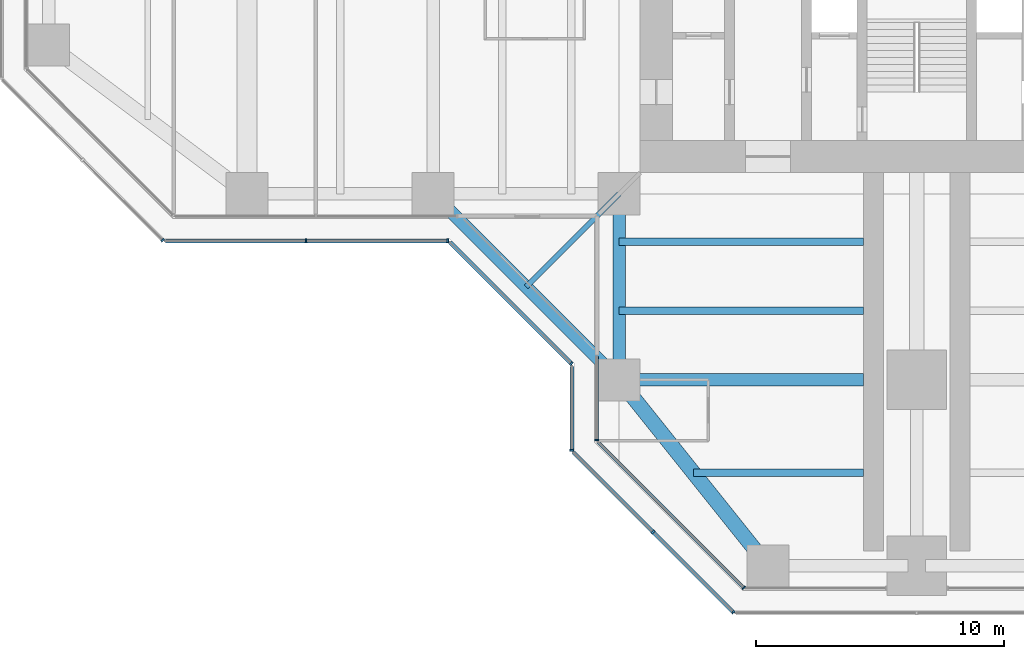
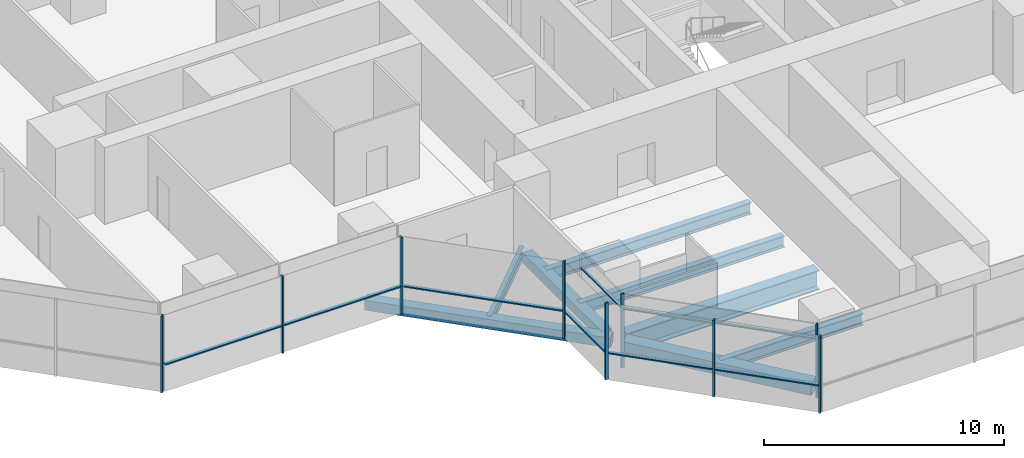
# One storey, part 2 of 20: 17 members, 8 beams, 7 elements without a shape of their own.
"""IFC4 building model written with IfcOpenShell, lengths in metres."""

from ifc_helpers import new_model, si_unit, direction, frame, origin, origin_2d, place, context, subcontext, project, spatial, rectangle, hollow_rectangle, i_section, extrude, material, material_profile, profile_set, type_object, element, aggregate, save


model = new_model("IFC4")

# Units and contexts
model_context = context("Model", 3, precision=1e-05, world=origin(), true_north=direction((0.0, 1.0)))
body_context = subcontext(model_context, "Body", "Model", "MODEL_VIEW")
ifc_project = project(units=[si_unit("LENGTHUNIT", "METRE"), si_unit("AREAUNIT", "SQUARE_METRE"), si_unit("VOLUMEUNIT", "CUBIC_METRE"), si_unit("PLANEANGLEUNIT", "RADIAN"), si_unit("MASSUNIT", "GRAM", prefix="KILO")], contexts=[model_context])

# Site, building, storey
site_placement = place(None, origin())
site = spatial("IfcSite", under=ifc_project, at=site_placement, CompositionType="ELEMENT")
building_placement = place(site_placement, origin())
building = spatial("IfcBuilding", under=site, at=building_placement, Name="Mizan Broadcast Tower", CompositionType="ELEMENT")
storey_placement = place(building_placement, frame((0.0, 0.0, 155.39990234375)))
storey = spatial("IfcBuildingStorey", under=building, at=storey_placement, Name="L35", CompositionType="ELEMENT", Elevation=155.39990234375)

# Beams
ifc_material_1 = material(Name="Steel S355", Category="steel")
ifc_material_profile_1 = material_profile(ifc_material_1, hollow_rectangle(XDim=0.5, YDim=0.5, WallThickness=0.030029296875, at=origin_2d()), Name="BOX 500x500x30")
ifc_profile_set_1 = profile_set([ifc_material_profile_1], Name="Steel S355")
beam_type_1 = type_object("IfcBeamType", Name="EDGE BEAM BOX 500x500x30", PredefinedType="SPANDREL", material=ifc_profile_set_1)
beam_1_placement = place(storey_placement, frame((-12.0, -12.449951171875, -0.3798828125), z_axis=(0.0, -1.0, 0.0), x_axis=(1.0, 0.0, 0.0)))
element("IfcBeam", 1, at=beam_1_placement, inside=storey, type_object=beam_type_1, Name="Edge beam BOX 500x500x30 L35 south arm", PredefinedType="SPANDREL", context=body_context, shape_type="SweptSolid", body=[
    extrude(hollow_rectangle(XDim=0.5, YDim=0.5, WallThickness=0.030029296875, at=origin_2d()), origin(), (0.0, 0.0, 1.0), 6.60009765625),
])
beam_2_placement = place(storey_placement, frame((-19.5, -12.0, -0.3798828125), z_axis=(0.707106781187, -0.707106781187, 0.0), x_axis=(0.707106781187, 0.707106781187, 0.0)))
element("IfcBeam", 2, at=beam_2_placement, inside=storey, type_object=beam_type_1, Name="Winter garden edge beam L35 W", PredefinedType="SPANDREL", context=body_context, shape_type="SweptSolid", body=[
    extrude(hollow_rectangle(XDim=0.5, YDim=0.5, WallThickness=0.030029296875, at=origin_2d()), origin(), (0.0, 0.0, 1.0), 10.606689453125),
])
ifc_material_2 = material(Name="Steel S355", Category="steel")
ifc_material_profile_2 = material_profile(ifc_material_2, hollow_rectangle(XDim=0.60009765625, YDim=0.60009765625, WallThickness=0.030029296875, at=origin_2d()), Name="BOX 600x600x30")
ifc_profile_set_2 = profile_set([ifc_material_profile_2], Name="Steel S355")
beam_type_2 = type_object("IfcBeamType", Name="EDGE BEAM BOX 600x600x30", PredefinedType="SPANDREL", material=ifc_profile_set_2)
beam_3_placement = place(storey_placement, frame((-11.639892578125, -19.949951171875, -0.429931640625), z_axis=(0.624673911726, -0.780885717636, 0.0), x_axis=(0.780885717636, 0.624673911726, 0.0)))
element("IfcBeam", 3, at=beam_3_placement, inside=storey, type_object=beam_type_2, Name="Edge beam BOX 600x600x30 L35 south arm", PredefinedType="SPANDREL", context=body_context, shape_type="SweptSolid", body=[
    extrude(hollow_rectangle(XDim=0.60009765625, YDim=0.60009765625, WallThickness=0.030029296875, at=origin_2d()), origin(), (0.0, 0.0, 1.0), 8.4521484375),
])
ifc_material_3 = material(Name="Steel S460", Category="steel")
ifc_material_profile_3 = material_profile(ifc_material_3, i_section(OverallWidth=0.5, OverallDepth=1.0, WebThickness=0.02490234375, FlangeThickness=0.050048828125, at=origin_2d()), Name="WPG 1000x500")
ifc_profile_set_3 = profile_set([ifc_material_profile_3], Name="Steel S460")
beam_type_3 = type_object("IfcBeamType", Name="GIRDER WPG 1000x500", PredefinedType="BEAM", material=ifc_profile_set_3)
beam_4_placement = place(storey_placement, frame((-11.408935546875, -19.5, -0.6298828125), z_axis=(1.0, 0.0, 0.0), x_axis=(0.0, 1.0, 0.0)))
element("IfcBeam", 4, at=beam_4_placement, inside=storey, type_object=beam_type_3, Name="Girder WPG 1000x500 L35 south arm", PredefinedType="BEAM", context=body_context, shape_type="SweptSolid", body=[
    extrude(i_section(OverallWidth=0.5, OverallDepth=1.0, WebThickness=0.02490234375, FlangeThickness=0.050048828125, at=origin_2d()), origin(), (0.0, 0.0, 1.0), 9.259033203125),
])

# Curtain wall, member
ifc_material_4 = material(Name="Aluminium framed glazing", Category="aluminium")
curtain_wall_type_1 = type_object("IfcCurtainWallType", Name="INNER SKIN MID ZONE", PredefinedType="USERDEFINED", material=ifc_material_4)
curtain_wall_1_placement = place(storey_placement, origin())
curtain_wall_1 = element("IfcCurtainWall", 5, at=curtain_wall_1_placement, inside=storey, type_object=curtain_wall_type_1, Name="Inner skin mid zone L35 S side", ObjectType="INNER SKIN MID ZONE", PredefinedType="USERDEFINED")
ifc_material_5 = material(Name="Aluminium, pale anodised", Category="aluminium")
ifc_material_profile_4 = material_profile(ifc_material_5, rectangle(XDim=0.159912109375, YDim=0.06005859375, at=origin_2d()), Name="MULLION 160x60")
ifc_profile_set_4 = profile_set([ifc_material_profile_4], Name="Aluminium, pale anodised")
member_type_1 = type_object("IfcMemberType", Name="INNER SKIN MULLION 60x160", PredefinedType="MULLION", material=ifc_profile_set_4)
member_1_placement = place(storey_placement, frame((-12.89990234375, -21.928466796875, 0.0), z_axis=(0.0, 0.0, 1.0), x_axis=(1.0, 0.0, 0.0)))
member_1 = element("IfcMember", 6, at=member_1_placement, type_object=member_type_1, Name="Inner skin mid zone L35 S side mullion 2", PredefinedType="MULLION", context=body_context, shape_type="SweptSolid", body=[
    extrude(rectangle(XDim=0.159912109375, YDim=0.06005859375, at=origin_2d()), origin(), (0.0, 0.0, 1.0), 3.77001953125),
])

curtain_wall_2_placement = place(storey_placement, origin())
curtain_wall_2 = element("IfcCurtainWall", 7, at=curtain_wall_2_placement, inside=storey, type_object=curtain_wall_type_1, Name="Inner skin mid zone L35 S chamfer", ObjectType="INNER SKIN MID ZONE", PredefinedType="USERDEFINED")
member_2_placement = place(storey_placement, frame((-6.979736328125, -27.87890625, 0.0), z_axis=(0.0, 0.0, 1.0), x_axis=(0.707106781187, 0.707106781187, 0.0)))
member_2 = element("IfcMember", 8, at=member_2_placement, type_object=member_type_1, Name="Inner skin mid zone L35 S chamfer mullion 2", PredefinedType="MULLION", context=body_context, shape_type="SweptSolid", body=[
    extrude(rectangle(XDim=0.159912109375, YDim=0.06005859375, at=origin_2d()), origin(), (0.0, 0.0, 1.0), 3.77001953125),
])

# Member
ifc_material_6 = material(Name="Aluminium, pale anodised", Category="aluminium")
ifc_material_profile_5 = material_profile(ifc_material_6, rectangle(XDim=0.1201171875, YDim=0.06005859375, at=origin_2d()), Name="TRANSOM 120x60")
ifc_profile_set_5 = profile_set([ifc_material_profile_5], Name="Aluminium, pale anodised")
member_type_2 = type_object("IfcMemberType", Name="INNER SKIN TRANSOM 60x120", PredefinedType="USERDEFINED", material=ifc_profile_set_5)
member_3_placement = place(storey_placement, frame((-12.89990234375, -18.56005859375, 3.030029296875), z_axis=(0.0, -1.0, 0.0), x_axis=(1.0, 0.0, 0.0)))
member_3 = element("IfcMember", 9, at=member_3_placement, type_object=member_type_2, Name="Inner skin mid zone L35 S side transom 1.1", ObjectType="TRANSOM", PredefinedType="USERDEFINED", context=body_context, shape_type="SweptSolid", body=[
    extrude(rectangle(XDim=0.1201171875, YDim=0.06005859375, at=origin_2d()), origin(), (0.0, 0.0, 1.0), 3.338623046875),
])

aggregate(curtain_wall_1, [member_1, member_3])

member_4_placement = place(storey_placement, frame((-12.857666015625, -22.0009765625, 3.030029296875), z_axis=(0.707106781187, -0.707106781187, 0.0), x_axis=(0.707106781187, 0.707106781187, 0.0)))
member_4 = element("IfcMember", 10, at=member_4_placement, type_object=member_type_2, Name="Inner skin mid zone L35 S chamfer transom 1.1", ObjectType="TRANSOM", PredefinedType="USERDEFINED", context=body_context, shape_type="SweptSolid", body=[
    extrude(rectangle(XDim=0.1201171875, YDim=0.06005859375, at=origin_2d()), origin(), (0.0, 0.0, 1.0), 8.28271484375),
])

aggregate(curtain_wall_2, [member_2, member_4])

# Curtain wall, member
ifc_material_7 = material(Name="Aluminium framed glazing", Category="aluminium")
curtain_wall_type_2 = type_object("IfcCurtainWallType", Name="OUTER SKIN", PredefinedType="USERDEFINED", material=ifc_material_7)
curtain_wall_3_placement = place(storey_placement, origin())
curtain_wall_3 = element("IfcCurtainWall", 11, at=curtain_wall_3_placement, inside=storey, type_object=curtain_wall_type_2, Name="Outer skin L35 W chamfer", ObjectType="OUTER SKIN", PredefinedType="USERDEFINED")
ifc_material_8 = material(Name="Aluminium, pale anodised", Category="aluminium")
ifc_material_profile_6 = material_profile(ifc_material_8, rectangle(XDim=0.159912109375, YDim=0.080078125, at=origin_2d()), Name="MULLION 160x80")
ifc_profile_set_6 = profile_set([ifc_material_profile_6], Name="Aluminium, pale anodised")
member_type_3 = type_object("IfcMemberType", Name="OUTER SKIN MULLION 80x160", PredefinedType="MULLION", material=ifc_profile_set_6)
member_5_placement = place(storey_placement, frame((-30.401123046875, -13.871826171875, 0.0), z_axis=(0.0, 0.0, 1.0), x_axis=(0.707106781187, 0.707106781187, 0.0)))
member_5 = element("IfcMember", 12, at=member_5_placement, type_object=member_type_3, Name="Outer skin L35 W chamfer mullion 3", PredefinedType="MULLION", context=body_context, shape_type="SweptSolid", body=[
    extrude(rectangle(XDim=0.159912109375, YDim=0.080078125, at=origin_2d()), origin(), (0.0, 0.0, 1.0), 3.900146484375),
])
aggregate(curtain_wall_3, [member_5])

# Curtain wall, members
curtain_wall_4_placement = place(storey_placement, origin())
curtain_wall_4 = element("IfcCurtainWall", 13, at=curtain_wall_4_placement, inside=storey, type_object=curtain_wall_type_2, Name="Outer skin L35 W side", ObjectType="OUTER SKIN", PredefinedType="USERDEFINED")
member_6_placement = place(storey_placement, frame((-24.622802734375, -13.89990234375, 0.0), z_axis=(0.0, 0.0, 1.0), x_axis=(0.0, 1.0, 0.0)))
member_6 = element("IfcMember", 14, at=member_6_placement, type_object=member_type_3, Name="Outer skin L35 W side mullion 2", PredefinedType="MULLION", context=body_context, shape_type="SweptSolid", body=[
    extrude(rectangle(XDim=0.159912109375, YDim=0.080078125, at=origin_2d()), origin(), (0.0, 0.0, 1.0), 3.900146484375),
])
member_7_placement = place(storey_placement, frame((-18.912841796875, -13.89990234375, 0.0), z_axis=(0.0, 0.0, 1.0), x_axis=(0.0, 1.0, 0.0)))
member_7 = element("IfcMember", 15, at=member_7_placement, type_object=member_type_3, Name="Outer skin L35 W side mullion 3", PredefinedType="MULLION", context=body_context, shape_type="SweptSolid", body=[
    extrude(rectangle(XDim=0.159912109375, YDim=0.080078125, at=origin_2d()), origin(), (0.0, 0.0, 1.0), 3.900146484375),
])

# Curtain wall, member
curtain_wall_5_placement = place(storey_placement, origin())
curtain_wall_5 = element("IfcCurtainWall", 16, at=curtain_wall_5_placement, inside=storey, type_object=curtain_wall_type_2, Name="Outer skin L35 W chamfer", ObjectType="OUTER SKIN", PredefinedType="USERDEFINED")
member_8_placement = place(storey_placement, frame((-13.92822265625, -18.844482421875, 0.0), z_axis=(0.0, 0.0, 1.0), x_axis=(0.707106781187, 0.707106781187, 0.0)))
member_8 = element("IfcMember", 17, at=member_8_placement, type_object=member_type_3, Name="Outer skin L35 W chamfer mullion 2", PredefinedType="MULLION", context=body_context, shape_type="SweptSolid", body=[
    extrude(rectangle(XDim=0.159912109375, YDim=0.080078125, at=origin_2d()), origin(), (0.0, 0.0, 1.0), 3.900146484375),
])

curtain_wall_6_placement = place(storey_placement, origin())
curtain_wall_6 = element("IfcCurtainWall", 18, at=curtain_wall_6_placement, inside=storey, type_object=curtain_wall_type_2, Name="Outer skin L35 S side", ObjectType="OUTER SKIN", PredefinedType="USERDEFINED")
member_9_placement = place(storey_placement, frame((-13.89990234375, -22.332763671875, 0.0), z_axis=(0.0, 0.0, 1.0), x_axis=(1.0, 0.0, 0.0)))
member_9 = element("IfcMember", 19, at=member_9_placement, type_object=member_type_3, Name="Outer skin L35 S side mullion 2", PredefinedType="MULLION", context=body_context, shape_type="SweptSolid", body=[
    extrude(rectangle(XDim=0.159912109375, YDim=0.080078125, at=origin_2d()), origin(), (0.0, 0.0, 1.0), 3.900146484375),
])

# Curtain wall, members
curtain_wall_7_placement = place(storey_placement, origin())
curtain_wall_7 = element("IfcCurtainWall", 20, at=curtain_wall_7_placement, inside=storey, type_object=curtain_wall_type_2, Name="Outer skin L35 S chamfer", ObjectType="OUTER SKIN", PredefinedType="USERDEFINED")
member_10_placement = place(storey_placement, frame((-10.636474609375, -25.636474609375, 0.0), z_axis=(0.0, 0.0, 1.0), x_axis=(0.707106781187, 0.707106781187, 0.0)))
member_10 = element("IfcMember", 21, at=member_10_placement, type_object=member_type_3, Name="Outer skin L35 S chamfer mullion 2", PredefinedType="MULLION", context=body_context, shape_type="SweptSolid", body=[
    extrude(rectangle(XDim=0.159912109375, YDim=0.080078125, at=origin_2d()), origin(), (0.0, 0.0, 1.0), 3.900146484375),
])
member_11_placement = place(storey_placement, frame((-7.401123046875, -28.871826171875, 0.0), z_axis=(0.0, 0.0, 1.0), x_axis=(0.707106781187, 0.707106781187, 0.0)))
member_11 = element("IfcMember", 22, at=member_11_placement, type_object=member_type_3, Name="Outer skin L35 S chamfer mullion 3", PredefinedType="MULLION", context=body_context, shape_type="SweptSolid", body=[
    extrude(rectangle(XDim=0.159912109375, YDim=0.080078125, at=origin_2d()), origin(), (0.0, 0.0, 1.0), 3.900146484375),
])

# Member
ifc_material_9 = material(Name="Aluminium, pale anodised", Category="aluminium")
ifc_material_profile_7 = material_profile(ifc_material_9, rectangle(XDim=0.159912109375, YDim=0.06005859375, at=origin_2d()), Name="TRANSOM 160x60")
ifc_profile_set_7 = profile_set([ifc_material_profile_7], Name="Aluminium, pale anodised")
member_type_4 = type_object("IfcMemberType", Name="OUTER SKIN TRANSOM 60x160", PredefinedType="USERDEFINED", material=ifc_profile_set_7)
member_12_placement = place(storey_placement, frame((-30.292724609375, -13.89990234375, 1.400146484375), z_axis=(1.0, 0.0, 0.0), x_axis=(0.0, 1.0, 0.0)))
member_12 = element("IfcMember", 23, at=member_12_placement, type_object=member_type_4, Name="Outer skin L35 W side transom 1.1", ObjectType="TRANSOM", PredefinedType="USERDEFINED", context=body_context, shape_type="SweptSolid", body=[
    extrude(rectangle(XDim=0.159912109375, YDim=0.06005859375, at=origin_2d()), origin(), (0.0, 0.0, 1.0), 5.6298828125),
])

member_13_placement = place(storey_placement, frame((-24.582763671875, -13.89990234375, 1.400146484375), z_axis=(1.0, 0.0, 0.0), x_axis=(0.0, 1.0, 0.0)))
member_13 = element("IfcMember", 24, at=member_13_placement, type_object=member_type_4, Name="Outer skin L35 W side transom 2.1", ObjectType="TRANSOM", PredefinedType="USERDEFINED", context=body_context, shape_type="SweptSolid", body=[
    extrude(rectangle(XDim=0.159912109375, YDim=0.06005859375, at=origin_2d()), origin(), (0.0, 0.0, 1.0), 5.6298828125),
])

aggregate(curtain_wall_4, [member_6, member_7, member_12, member_13])

member_14_placement = place(storey_placement, frame((-18.816162109375, -13.95654296875, 1.400146484375), z_axis=(0.707106781187, -0.707106781187, 0.0), x_axis=(0.707106781187, 0.707106781187, 0.0)))
member_14 = element("IfcMember", 25, at=member_14_placement, type_object=member_type_4, Name="Outer skin L35 W chamfer transom 1.1", ObjectType="TRANSOM", PredefinedType="USERDEFINED", context=body_context, shape_type="SweptSolid", body=[
    extrude(rectangle(XDim=0.159912109375, YDim=0.06005859375, at=origin_2d()), origin(), (0.0, 0.0, 1.0), 6.87255859375),
])

aggregate(curtain_wall_5, [member_8, member_14])

member_15_placement = place(storey_placement, frame((-13.89990234375, -18.952880859375, 1.400146484375), z_axis=(0.0, -1.0, 0.0), x_axis=(1.0, 0.0, 0.0)))
member_15 = element("IfcMember", 26, at=member_15_placement, type_object=member_type_4, Name="Outer skin L35 S side transom 1.1", ObjectType="TRANSOM", PredefinedType="USERDEFINED", context=body_context, shape_type="SweptSolid", body=[
    extrude(rectangle(XDim=0.159912109375, YDim=0.06005859375, at=origin_2d()), origin(), (0.0, 0.0, 1.0), 3.33984375),
])

aggregate(curtain_wall_6, [member_9, member_15])

member_16_placement = place(storey_placement, frame((-13.843505859375, -22.429443359375, 1.400146484375), z_axis=(0.707106781187, -0.707106781187, 0.0), x_axis=(0.707106781187, 0.707106781187, 0.0)))
member_16 = element("IfcMember", 27, at=member_16_placement, type_object=member_type_4, Name="Outer skin L35 S chamfer transom 1.1", ObjectType="TRANSOM", PredefinedType="USERDEFINED", context=body_context, shape_type="SweptSolid", body=[
    extrude(rectangle(XDim=0.159912109375, YDim=0.06005859375, at=origin_2d()), origin(), (0.0, 0.0, 1.0), 4.495361328125),
])

member_17_placement = place(storey_placement, frame((-10.608154296875, -25.664794921875, 1.400146484375), z_axis=(0.707106781187, -0.707106781187, 0.0), x_axis=(0.707106781187, 0.707106781187, 0.0)))
member_17 = element("IfcMember", 28, at=member_17_placement, type_object=member_type_4, Name="Outer skin L35 S chamfer transom 2.1", ObjectType="TRANSOM", PredefinedType="USERDEFINED", context=body_context, shape_type="SweptSolid", body=[
    extrude(rectangle(XDim=0.159912109375, YDim=0.06005859375, at=origin_2d()), origin(), (0.0, 0.0, 1.0), 4.495361328125),
])

aggregate(curtain_wall_7, [member_10, member_11, member_16, member_17])

# Beams
ifc_material_10 = material(Name="Steel S355", Category="steel")
ifc_material_profile_8 = material_profile(ifc_material_10, i_section(OverallWidth=0.300048828125, OverallDepth=0.590087890625, WebThickness=0.012939453125, FlangeThickness=0.02490234375, FilletRadius=0.027099609375, at=origin_2d()), Name="HEA 600")
ifc_profile_set_8 = profile_set([ifc_material_profile_8], Name="Steel S355")
beam_type_4 = type_object("IfcBeamType", Name="SECONDARY BEAM HEA 600", PredefinedType="JOIST", material=ifc_profile_set_8)
for number, where, z_axis, x_axis, name in (
    (29, (-12.0, -13.933349609375, -0.4248046875), (1.0, 0.0, 0.0), (0.0, 1.0, 0.0), "Secondary beam HEA 600 L35 south arm"),
    (30, (-12.0, -16.716552734375, -0.4248046875), (1.0, 0.0, 0.0), (0.0, 1.0, 0.0), "Secondary beam HEA 600 L35 south arm"),
):
    element("IfcBeam", number, at=place(storey_placement, frame(where, z_axis=z_axis, x_axis=x_axis)), inside=storey, type_object=beam_type_4, Name=name, PredefinedType="JOIST", context=body_context, shape_type="SweptSolid", body=[
        extrude(i_section(OverallWidth=0.300048828125, OverallDepth=0.590087890625, WebThickness=0.012939453125, FlangeThickness=0.02490234375, FilletRadius=0.027099609375, at=origin_2d()), origin(), (0.0, 0.0, 1.0), 9.85009765625),
    ])
beam_5_placement = place(storey_placement, frame((-9.0, -23.25, -0.4248046875), z_axis=(1.0, 0.0, 0.0), x_axis=(0.0, 1.0, 0.0)))
element("IfcBeam", 31, at=beam_5_placement, inside=storey, type_object=beam_type_4, Name="Secondary beam HEA 600 L35 south arm", PredefinedType="JOIST", context=body_context, shape_type="SweptSolid", body=[
    extrude(i_section(OverallWidth=0.300048828125, OverallDepth=0.590087890625, WebThickness=0.012939453125, FlangeThickness=0.02490234375, FilletRadius=0.027099609375, at=origin_2d()), origin(), (0.0, 0.0, 1.0), 6.85009765625),
])
ifc_material_11 = material(Name="Steel S355", Category="steel")
ifc_material_profile_9 = material_profile(ifc_material_11, i_section(OverallWidth=0.2099609375, OverallDepth=0.550048828125, WebThickness=0.010986328125, FlangeThickness=0.01708984375, FilletRadius=0.02392578125, at=origin_2d()), Name="IPE 550")
ifc_profile_set_9 = profile_set([ifc_material_profile_9], Name="Steel S355")
beam_type_5 = type_object("IfcBeamType", Name="SECONDARY BEAM IPE 550", PredefinedType="JOIST", material=ifc_profile_set_9)
beam_6_placement = place(storey_placement, frame((-12.0, -12.0, -0.40478515625), z_axis=(-0.707106781187, -0.707106781187, 0.0), x_axis=(0.707106781187, -0.707106781187, 0.0)))
element("IfcBeam", 32, at=beam_6_placement, inside=storey, type_object=beam_type_5, Name="Winter garden beam L35 W", PredefinedType="JOIST", context=body_context, shape_type="SweptSolid", body=[
    extrude(i_section(OverallWidth=0.2099609375, OverallDepth=0.550048828125, WebThickness=0.010986328125, FlangeThickness=0.01708984375, FilletRadius=0.02392578125, at=origin_2d()), origin(), (0.0, 0.0, 1.0), 5.30322265625),
])

save(model, "model.ifc")
